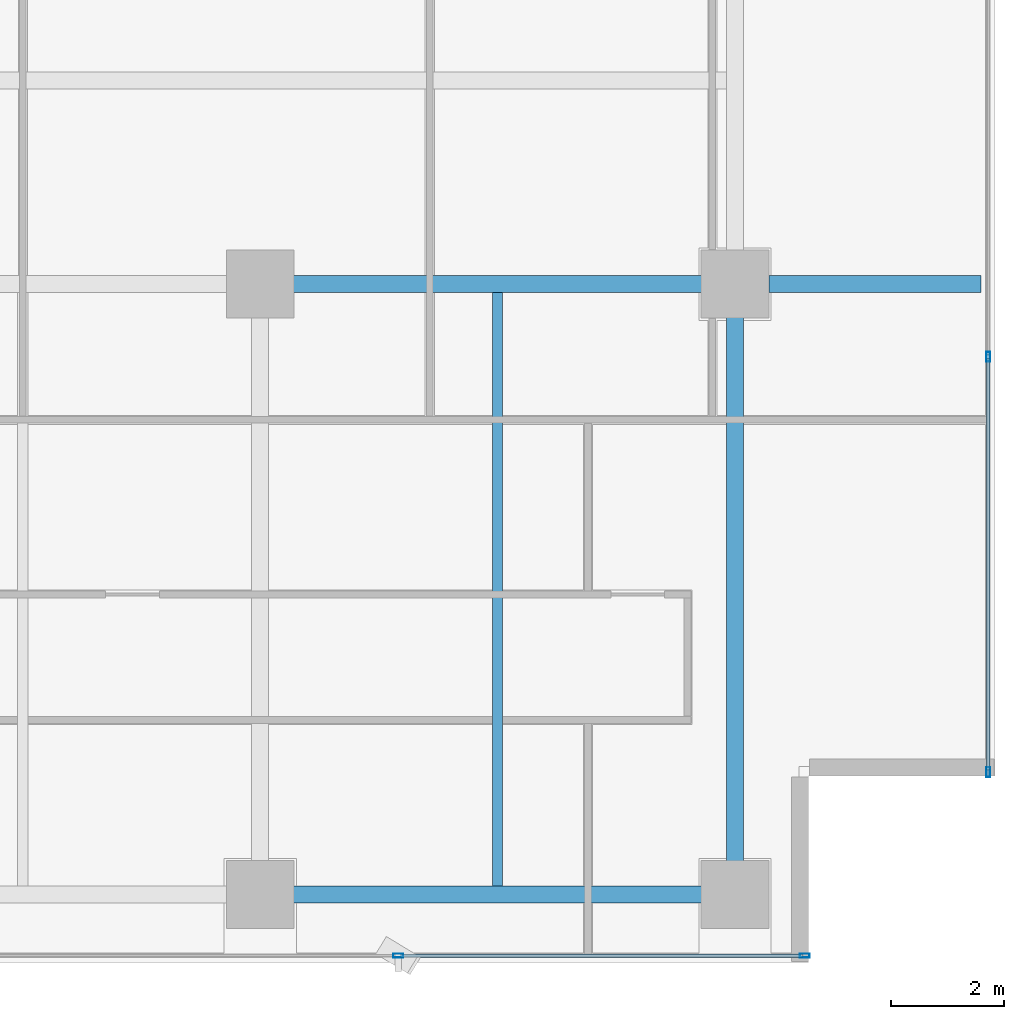
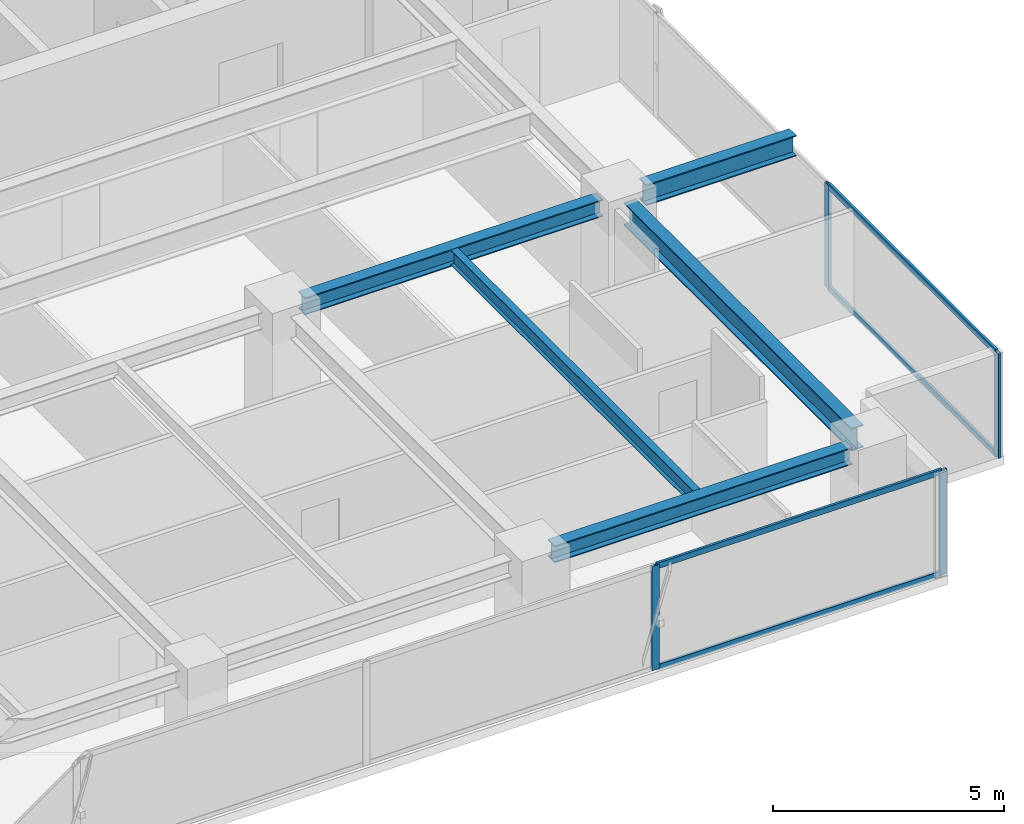
# One storey, part 9 of 23: 8 members, 5 beams, 2 elements without a shape of their own.
"""IFC4 building model written with IfcOpenShell, lengths in metres."""

from ifc_helpers import new_model, si_unit, direction, frame, origin, origin_2d, place, context, subcontext, project, spatial, hollow_rectangle, i_section, extrude, source, transform, mapped, material, layer, layer_set, material_profile, profile_set, type_object, element, aggregate, save


model = new_model("IFC4")

# Units and contexts
model_context = context("Model", 3, precision=1e-05, world=origin(), true_north=direction((0.0, 1.0)))
body_context = subcontext(model_context, "Body", "Model", "MODEL_VIEW")
ifc_project = project(units=[si_unit("LENGTHUNIT", "METRE"), si_unit("AREAUNIT", "SQUARE_METRE"), si_unit("VOLUMEUNIT", "CUBIC_METRE"), si_unit("PLANEANGLEUNIT", "RADIAN"), si_unit("MASSUNIT", "GRAM", prefix="KILO")], contexts=[model_context])

# Site, building, storey
site_placement = place(None, origin())
site = spatial("IfcSite", under=ifc_project, at=site_placement, CompositionType="ELEMENT")
building_placement = place(site_placement, origin())
building = spatial("IfcBuilding", under=site, at=building_placement, Name="Sumidabori Civic Tower", CompositionType="ELEMENT")
storey_placement = place(building_placement, frame((0.0, 0.0, 275.60009765625)))
storey = spatial("IfcBuildingStorey", under=building, at=storey_placement, Name="L72", CompositionType="ELEMENT", Elevation=275.60009765625)

# Beams
ifc_material_1 = material(Name="Steel SN490", Category="steel")
ifc_material_profile_1 = material_profile(ifc_material_1, i_section(OverallWidth=0.300048828125, OverallDepth=0.60009765625, WebThickness=0.015380859375, FlangeThickness=0.030029296875, at=origin_2d()), Name="HE 600 B")
ifc_profile_set_1 = profile_set([ifc_material_profile_1], Name="Steel SN490")
beam_type_1 = type_object("IfcBeamType", Name="BM-GIRD-600", PredefinedType="BEAM", material=ifc_profile_set_1)
shared_shape_1 = source(origin(), body_context, "Body", "SweptSolid", [
    extrude(i_section(OverallWidth=0.300048828125, OverallDepth=0.60009765625, WebThickness=0.015380859375, FlangeThickness=0.030029296875, at=origin_2d()), origin(), (0.0, 0.0, 1.0), 9.840087890625),
])
beam_1_placement = place(storey_placement, frame((16.800048828125, -10.320068359375, 3.06982421875), z_axis=(0.0, 1.0, 0.0), x_axis=(-1.0, 0.0, 0.0)))
element("IfcBeam", 1, at=beam_1_placement, inside=storey, type_object=beam_type_1, Name="Primary Girder L72 GY-15", PredefinedType="BEAM", context=body_context, shape_type="MappedRepresentation", body=[
    mapped(shared_shape_1, transform((0.0, 0.0, 0.0), x_axis=(1.0, 0.0, 0.0), y_axis=(0.0, 1.0, 0.0), z_axis=(0.0, 0.0, 1.0), scale=1.0)),
])
ifc_material_profile_2 = material_profile(ifc_material_1, i_section(OverallWidth=0.300048828125, OverallDepth=0.449951171875, WebThickness=0.013916015625, FlangeThickness=0.02587890625, at=origin_2d()), Name="HE 450 B")
ifc_profile_set_2 = profile_set([ifc_material_profile_2], Name="Steel SN490")
beam_type_2 = type_object("IfcBeamType", Name="BM-GIRD-450", PredefinedType="BEAM", material=ifc_profile_set_2)
shared_shape_2 = source(origin(), body_context, "Body", "SweptSolid", [
    extrude(i_section(OverallWidth=0.300048828125, OverallDepth=0.449951171875, WebThickness=0.013916015625, FlangeThickness=0.02587890625, at=origin_2d()), origin(), (0.0, 0.0, 1.0), 7.440185546875),
])
for number, where, z_axis, x_axis, name in (
    (2, (8.8798828125, -10.800048828125, 3.14501953125), (1.0, 0.0, 0.0), (0.0, 1.0, 0.0), "Primary Girder L72 GX-04"),
    (3, (8.8798828125, 0.0, 3.14501953125), (1.0, 0.0, 0.0), (0.0, 1.0, 0.0), "Primary Girder L72 GX-08"),
):
    element("IfcBeam", number, at=place(storey_placement, frame(where, z_axis=z_axis, x_axis=x_axis)), inside=storey, type_object=beam_type_2, Name=name, PredefinedType="BEAM", context=body_context, shape_type="MappedRepresentation", body=[
        mapped(shared_shape_2, transform((0.0, 0.0, 0.0), x_axis=(1.0, 0.0, 0.0), y_axis=(0.0, 1.0, 0.0), z_axis=(0.0, 0.0, 1.0), scale=1.0)),
    ])
ifc_material_profile_3 = material_profile(ifc_material_1, i_section(OverallWidth=0.179931640625, OverallDepth=0.39990234375, WebThickness=0.008544921875, FlangeThickness=0.013427734375, at=origin_2d()), Name="IPE 400")
ifc_profile_set_3 = profile_set([ifc_material_profile_3], Name="Steel SN490")
beam_type_3 = type_object("IfcBeamType", Name="BM-JST-400", PredefinedType="JOIST", material=ifc_profile_set_3)
shared_shape_3 = source(origin(), body_context, "Body", "SweptSolid", [
    extrude(i_section(OverallWidth=0.179931640625, OverallDepth=0.39990234375, WebThickness=0.008544921875, FlangeThickness=0.013427734375, at=origin_2d()), origin(), (0.0, 0.0, 1.0), 10.5),
])
beam_2_placement = place(storey_placement, frame((12.60009765625, -10.64990234375, 3.169921875), z_axis=(0.0, 1.0, 0.0), x_axis=(-1.0, 0.0, 0.0)))
element("IfcBeam", 4, at=beam_2_placement, inside=storey, type_object=beam_type_3, Name="Upper Lens N-S Floor Joist L72 JSTV-27", PredefinedType="JOIST", context=body_context, shape_type="MappedRepresentation", body=[
    mapped(shared_shape_3, transform((0.0, 0.0, 0.0), x_axis=(1.0, 0.0, 0.0), y_axis=(0.0, 1.0, 0.0), z_axis=(0.0, 0.0, 1.0), scale=1.0)),
])
ifc_material_profile_4 = material_profile(ifc_material_1, i_section(OverallWidth=0.300048828125, OverallDepth=0.550048828125, WebThickness=0.014892578125, FlangeThickness=0.029052734375, at=origin_2d()), Name="HE 550 B")
ifc_profile_set_4 = profile_set([ifc_material_profile_4], Name="Steel SN490")
beam_type_4 = type_object("IfcBeamType", Name="BM-Z4-EDGE", PredefinedType="SPANDREL", material=ifc_profile_set_4)
shared_shape_4 = source(origin(), body_context, "Body", "SweptSolid", [
    extrude(i_section(OverallWidth=0.300048828125, OverallDepth=0.550048828125, WebThickness=0.014892578125, FlangeThickness=0.029052734375, at=origin_2d()), origin(), (0.0, 0.0, 1.0), 3.75),
])
beam_3_placement = place(storey_placement, frame((17.39990234375, 0.0, 3.094970703125), z_axis=(1.0, 0.0, 0.0), x_axis=(0.0, 1.0, 0.0)))
element("IfcBeam", 5, at=beam_3_placement, inside=storey, type_object=beam_type_4, Name="Perimeter Overhang Beam L72 E-18", PredefinedType="SPANDREL", context=body_context, shape_type="MappedRepresentation", body=[
    mapped(shared_shape_4, transform((0.0, 0.0, 0.0), x_axis=(1.0, 0.0, 0.0), y_axis=(0.0, 1.0, 0.0), z_axis=(0.0, 0.0, 1.0), scale=1.0)),
])

# Curtain wall, members
ifc_material_2 = material(Name="Anodised Bronze Aluminium AW-6063-T6", Category="aluminium")
ifc_layer = layer(ifc_material_2, 0.179931640625, Name="Anodised Bronze Aluminium AW-6063-T6")
ifc_layer_set = layer_set([ifc_layer], Name="Anodised Bronze Aluminium AW-6063-T6")
curtain_wall_type = type_object("IfcCurtainWallType", Name="CW-SYS-6", PredefinedType="NOTDEFINED", material=ifc_layer_set)
curtain_wall_1_placement = place(storey_placement, origin())
curtain_wall_1 = element("IfcCurtainWall", 6, at=curtain_wall_1_placement, inside=storey, type_object=curtain_wall_type, Name="Curtain Wall CW:L72:R01", PredefinedType="NOTDEFINED")
ifc_material_profile_5 = material_profile(ifc_material_2, hollow_rectangle(XDim=0.070068359375, YDim=0.179931640625, WallThickness=0.006103515625, at=origin_2d()), Name="ALU MULLION 180x70")
ifc_profile_set_5 = profile_set([ifc_material_profile_5], Name="Anodised Bronze Aluminium AW-6063-T6")
member_type_1 = type_object("IfcMemberType", Name="CW-MUL-180", PredefinedType="MULLION", material=ifc_profile_set_5)
shared_shape_5 = source(origin(), body_context, "Body", "SweptSolid", [
    extrude(hollow_rectangle(XDim=0.070068359375, YDim=0.179931640625, WallThickness=0.006103515625, at=origin_2d()), origin(), (0.0, 0.0, 1.0), 2.75),
])
member_1_placement = place(storey_placement, frame((10.842041015625, -11.8798828125, 0.0), z_axis=(0.0, 0.0, 1.0), x_axis=(0.0, 1.0, 0.0)))
member_1 = element("IfcMember", 7, at=member_1_placement, type_object=member_type_1, Name="CW-6 mullion 5", PredefinedType="MULLION", context=body_context, shape_type="MappedRepresentation", body=[
    mapped(shared_shape_5, transform((0.0, 0.0, 0.0), x_axis=(1.0, 0.0, 0.0), y_axis=(0.0, 1.0, 0.0), z_axis=(0.0, 0.0, 1.0), scale=1.0)),
])
member_2_placement = place(storey_placement, frame((18.034912109375, -11.8798828125, 0.0), z_axis=(0.0, 0.0, 1.0), x_axis=(0.0, 1.0, 0.0)))
member_2 = element("IfcMember", 8, at=member_2_placement, type_object=member_type_1, Name="CW-6 mullion 6", PredefinedType="MULLION", context=body_context, shape_type="MappedRepresentation", body=[
    mapped(shared_shape_5, transform((0.0, 0.0, 0.0), x_axis=(1.0, 0.0, 0.0), y_axis=(0.0, 1.0, 0.0), z_axis=(0.0, 0.0, 1.0), scale=1.0)),
])

curtain_wall_2_placement = place(storey_placement, origin())
curtain_wall_2 = element("IfcCurtainWall", 9, at=curtain_wall_2_placement, inside=storey, type_object=curtain_wall_type, Name="Curtain Wall CW:L72:R04", PredefinedType="NOTDEFINED")
member_3_placement = place(storey_placement, frame((21.280029296875, -8.635009765625, 0.0), z_axis=(0.0, 0.0, 1.0), x_axis=(-1.0, 0.0, 0.0)))
member_3 = element("IfcMember", 10, at=member_3_placement, type_object=member_type_1, Name="CW-6 mullion 1", PredefinedType="MULLION", context=body_context, shape_type="MappedRepresentation", body=[
    mapped(shared_shape_5, transform((0.0, 0.0, 0.0), x_axis=(1.0, 0.0, 0.0), y_axis=(0.0, 1.0, 0.0), z_axis=(0.0, 0.0, 1.0), scale=1.0)),
])
member_4_placement = place(storey_placement, frame((21.280029296875, -1.284912109375, 0.0), z_axis=(0.0, 0.0, 1.0), x_axis=(-1.0, 0.0, 0.0)))
member_4 = element("IfcMember", 11, at=member_4_placement, type_object=member_type_1, Name="CW-6 mullion 2", PredefinedType="MULLION", context=body_context, shape_type="MappedRepresentation", body=[
    mapped(shared_shape_5, transform((0.0, 0.0, 0.0), x_axis=(1.0, 0.0, 0.0), y_axis=(0.0, 1.0, 0.0), z_axis=(0.0, 0.0, 1.0), scale=1.0)),
])

# Member
ifc_material_profile_6 = material_profile(ifc_material_2, hollow_rectangle(XDim=0.06494140625, YDim=0.14990234375, WallThickness=0.0048828125, at=origin_2d()), Name="ALU TRANSOM 150x65")
ifc_profile_set_6 = profile_set([ifc_material_profile_6], Name="Anodised Bronze Aluminium AW-6063-T6")
member_type_2 = type_object("IfcMemberType", Name="CW-TRN-150", PredefinedType="USERDEFINED", material=ifc_profile_set_6)
shared_shape_6 = source(origin(), body_context, "Body", "SweptSolid", [
    extrude(hollow_rectangle(XDim=0.06494140625, YDim=0.14990234375, WallThickness=0.0048828125, at=origin_2d()), origin(), (0.0, 0.0, 1.0), 7.123046875),
])
member_5_placement = place(storey_placement, frame((10.876953125, -11.8798828125, 0.032470703125), z_axis=(1.0, 0.0, 0.0), x_axis=(0.0, 1.0, 0.0)))
member_5 = element("IfcMember", 12, at=member_5_placement, type_object=member_type_2, Name="CW-6 transom 5.1", ObjectType="TRANSOM", PredefinedType="USERDEFINED", context=body_context, shape_type="MappedRepresentation", body=[
    mapped(shared_shape_6, transform((0.0, 0.0, 0.0), x_axis=(1.0, 0.0, 0.0), y_axis=(0.0, 1.0, 0.0), z_axis=(0.0, 0.0, 1.0), scale=1.0)),
])

member_6_placement = place(storey_placement, frame((10.876953125, -11.8798828125, 2.71728515625), z_axis=(1.0, 0.0, 0.0), x_axis=(0.0, 1.0, 0.0)))
member_6 = element("IfcMember", 13, at=member_6_placement, type_object=member_type_2, Name="CW-6 transom 5.2", ObjectType="TRANSOM", PredefinedType="USERDEFINED", context=body_context, shape_type="MappedRepresentation", body=[
    mapped(shared_shape_6, transform((0.0, 0.0, 0.0), x_axis=(1.0, 0.0, 0.0), y_axis=(0.0, 1.0, 0.0), z_axis=(0.0, 0.0, 1.0), scale=1.0)),
])

aggregate(curtain_wall_1, [member_1, member_2, member_5, member_6])

shared_shape_7 = source(origin(), body_context, "Body", "SweptSolid", [
    extrude(hollow_rectangle(XDim=0.06494140625, YDim=0.14990234375, WallThickness=0.0048828125, at=origin_2d()), origin(), (0.0, 0.0, 1.0), 7.280029296875),
])
member_7_placement = place(storey_placement, frame((21.280029296875, -8.60009765625, 0.032470703125), z_axis=(0.0, 1.0, 0.0), x_axis=(-1.0, 0.0, 0.0)))
member_7 = element("IfcMember", 14, at=member_7_placement, type_object=member_type_2, Name="CW-6 transom 1.1", ObjectType="TRANSOM", PredefinedType="USERDEFINED", context=body_context, shape_type="MappedRepresentation", body=[
    mapped(shared_shape_7, transform((0.0, 0.0, 0.0), x_axis=(1.0, 0.0, 0.0), y_axis=(0.0, 1.0, 0.0), z_axis=(0.0, 0.0, 1.0), scale=1.0)),
])

member_8_placement = place(storey_placement, frame((21.280029296875, -8.60009765625, 2.71728515625), z_axis=(0.0, 1.0, 0.0), x_axis=(-1.0, 0.0, 0.0)))
member_8 = element("IfcMember", 15, at=member_8_placement, type_object=member_type_2, Name="CW-6 transom 1.2", ObjectType="TRANSOM", PredefinedType="USERDEFINED", context=body_context, shape_type="MappedRepresentation", body=[
    mapped(shared_shape_7, transform((0.0, 0.0, 0.0), x_axis=(1.0, 0.0, 0.0), y_axis=(0.0, 1.0, 0.0), z_axis=(0.0, 0.0, 1.0), scale=1.0)),
])

aggregate(curtain_wall_2, [member_3, member_4, member_7, member_8])

save(model, "model.ifc")
